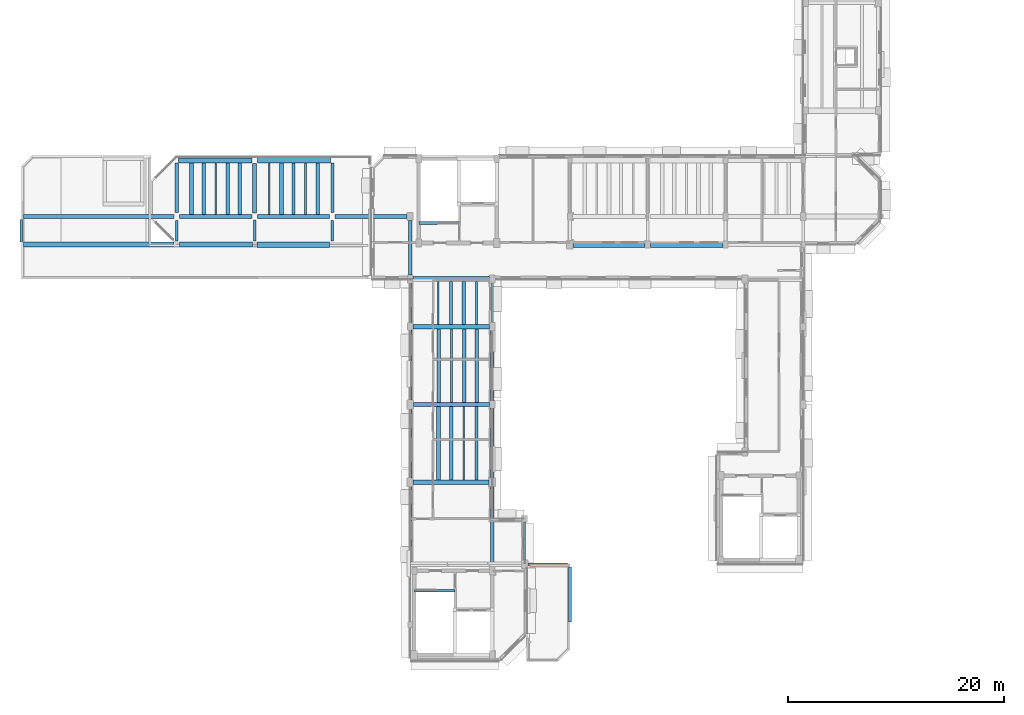
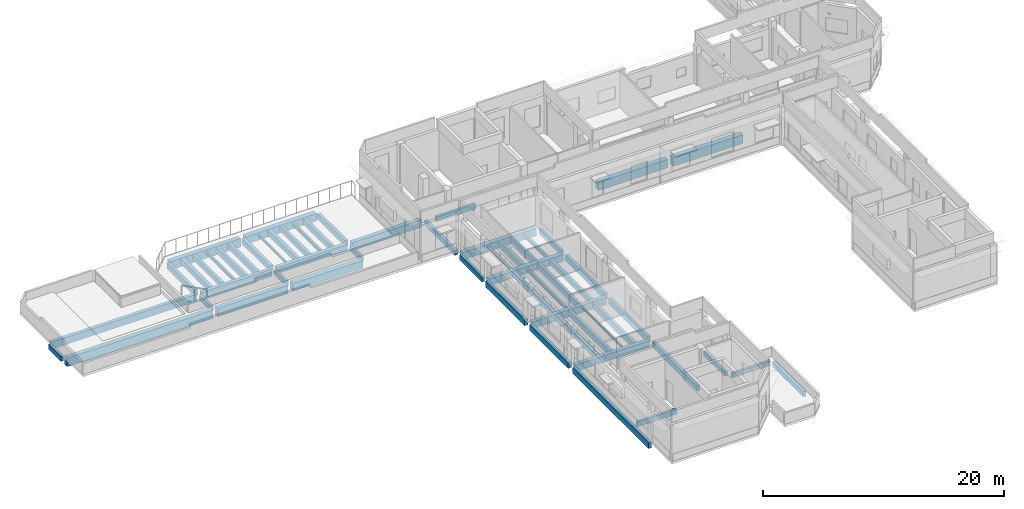
# One storey, part 3 of 17: 58 beams.
"""IFC4 building model written with IfcOpenShell, lengths in metres."""

from ifc_helpers import new_model, si_unit, direction, frame, origin, origin_2d, place, context, subcontext, project, spatial, rectangle, i_section, extrude, material, material_profile, profile_set, type_object, element, save


model = new_model("IFC4")

# Units and contexts
model_context = context("Model", 3, precision=1e-05, world=origin(), true_north=direction((0.0, 1.0)))
body_context = subcontext(model_context, "Body", "Model", "MODEL_VIEW")
ifc_project = project(units=[si_unit("LENGTHUNIT", "METRE"), si_unit("AREAUNIT", "SQUARE_METRE"), si_unit("VOLUMEUNIT", "CUBIC_METRE"), si_unit("PLANEANGLEUNIT", "RADIAN"), si_unit("MASSUNIT", "GRAM", prefix="KILO")], contexts=[model_context])

# Site, building, storey
site_placement = place(None, origin())
site = spatial("IfcSite", under=ifc_project, at=site_placement, CompositionType="ELEMENT")
building_placement = place(site_placement, origin())
building = spatial("IfcBuilding", under=site, at=building_placement, Name="Kelanivale Promenade Academy", CompositionType="ELEMENT")
storey_placement = place(building_placement, frame((0.0, 0.0, 20.199951171875)))
storey = spatial("IfcBuildingStorey", under=building, at=storey_placement, Name="L05", CompositionType="ELEMENT", Elevation=20.199951171875)

# Beams
ifc_material_1 = material(Name="Concrete C35/45", Category="concrete")
ifc_material_profile_1 = material_profile(ifc_material_1, rectangle(XDim=0.39990234375, YDim=0.64990234375, at=origin_2d()), Name="RC-BM 400x650")
ifc_profile_set_1 = profile_set([ifc_material_profile_1], Name="Concrete C35/45")
beam_type_1 = type_object("IfcBeamType", Name="BM-01 RC-BM 400x650", PredefinedType="BEAM", material=ifc_profile_set_1)
beam_1_placement = place(storey_placement, frame((79.469970703125, 49.60009765625, -0.544921875), z_axis=(1.0, 0.0, 0.0), x_axis=(0.0, 1.0, 0.0)))
element("IfcBeam", 1, at=beam_1_placement, inside=storey, type_object=beam_type_1, Name="L05 girder BM-01", PredefinedType="BEAM", context=body_context, shape_type="SweptSolid", body=[
    extrude(rectangle(XDim=0.39990234375, YDim=0.64990234375, at=origin_2d()), origin(), (0.0, 0.0, 1.0), 7.034912109375),
])
ifc_material_profile_2 = material_profile(ifc_material_1, rectangle(XDim=0.39990234375, YDim=0.699951171875, at=origin_2d()), Name="RC-BM 400x700")
ifc_profile_set_2 = profile_set([ifc_material_profile_2], Name="Concrete C35/45")
beam_type_2 = type_object("IfcBeamType", Name="BM-02 RC-BM 400x700", PredefinedType="BEAM", material=ifc_profile_set_2)
beam_2_placement = place(storey_placement, frame((79.4951171875, 56.800048828125, -0.570068359375), z_axis=(1.0, 0.0, 0.0), x_axis=(0.0, 1.0, 0.0)))
element("IfcBeam", 2, at=beam_2_placement, inside=storey, type_object=beam_type_2, Name="L05 girder BM-02", PredefinedType="BEAM", context=body_context, shape_type="SweptSolid", body=[
    extrude(rectangle(XDim=0.39990234375, YDim=0.699951171875, at=origin_2d()), origin(), (0.0, 0.0, 1.0), 7.059814453125),
])
ifc_material_profile_3 = material_profile(ifc_material_1, rectangle(XDim=0.449951171875, YDim=0.699951171875, at=origin_2d()), Name="RC-BM 450x700")
ifc_profile_set_3 = profile_set([ifc_material_profile_3], Name="Concrete C35/45")
beam_type_3 = type_object("IfcBeamType", Name="BM-03 RC-BM 450x700", PredefinedType="BEAM", material=ifc_profile_set_3)
beam_3_placement = place(storey_placement, frame((79.445068359375, 64.0, -0.570068359375), z_axis=(1.0, 0.0, 0.0), x_axis=(0.0, 1.0, 0.0)))
element("IfcBeam", 3, at=beam_3_placement, inside=storey, type_object=beam_type_3, Name="L05 girder BM-03", PredefinedType="BEAM", context=body_context, shape_type="SweptSolid", body=[
    extrude(rectangle(XDim=0.449951171875, YDim=0.699951171875, at=origin_2d()), origin(), (0.0, 0.0, 1.0), 7.10986328125),
])
ifc_material_profile_4 = material_profile(ifc_material_1, rectangle(XDim=0.449951171875, YDim=0.75, at=origin_2d()), Name="RC-BM 450x750")
ifc_profile_set_4 = profile_set([ifc_material_profile_4], Name="Concrete C35/45")
beam_type_4 = type_object("IfcBeamType", Name="BM-04 RC-BM 450x750", PredefinedType="BEAM", material=ifc_profile_set_4)
beam_4_placement = place(storey_placement, frame((79.445068359375, 68.39990234375, -0.594970703125), z_axis=(1.0, 0.0, 0.0), x_axis=(0.0, 1.0, 0.0)))
element("IfcBeam", 4, at=beam_4_placement, inside=storey, type_object=beam_type_4, Name="L05 girder BM-04", PredefinedType="BEAM", context=body_context, shape_type="SweptSolid", body=[
    extrude(rectangle(XDim=0.449951171875, YDim=0.75, at=origin_2d()), origin(), (0.0, 0.0, 1.0), 7.0849609375),
])
ifc_material_profile_5 = material_profile(ifc_material_1, rectangle(XDim=0.449951171875, YDim=0.85009765625, at=origin_2d()), Name="RC-BM 450x850")
ifc_profile_set_5 = profile_set([ifc_material_profile_5], Name="Concrete C35/45")
beam_type_5 = type_object("IfcBeamType", Name="BM-05 RC-BM 450x850", PredefinedType="BEAM", material=ifc_profile_set_5)
beam_5_placement = place(storey_placement, frame((43.39501953125, 71.60009765625, -0.6650390625), z_axis=(1.0, 0.0, 0.0), x_axis=(0.0, 1.0, 0.0)))
element("IfcBeam", 5, at=beam_5_placement, inside=storey, type_object=beam_type_5, Name="L05 girder BM-05", PredefinedType="BEAM", context=body_context, shape_type="SweptSolid", body=[
    extrude(rectangle(XDim=0.449951171875, YDim=0.85009765625, at=origin_2d()), origin(), (0.0, 0.0, 1.0), 13.9599609375),
])
beam_6_placement = place(storey_placement, frame((57.844970703125, 71.60009765625, -0.659912109375), z_axis=(1.0, 0.0, 0.0), x_axis=(0.0, 1.0, 0.0)))
element("IfcBeam", 6, at=beam_6_placement, inside=storey, type_object=beam_type_5, Name="L05 girder BM-05", PredefinedType="BEAM", context=body_context, shape_type="SweptSolid", body=[
    extrude(rectangle(XDim=0.449951171875, YDim=0.85009765625, at=origin_2d()), origin(), (0.0, 0.0, 1.0), 6.735107421875),
])
beam_7_placement = place(storey_placement, frame((57.77001953125, 79.39990234375, -0.659912109375), z_axis=(1.0, 0.0, 0.0), x_axis=(0.0, 1.0, 0.0)))
element("IfcBeam", 7, at=beam_7_placement, inside=storey, type_object=beam_type_5, Name="L05 girder BM-05", PredefinedType="BEAM", context=body_context, shape_type="SweptSolid", body=[
    extrude(rectangle(XDim=0.449951171875, YDim=0.85009765625, at=origin_2d()), origin(), (0.0, 0.0, 1.0), 6.784912109375),
])
ifc_material_profile_6 = material_profile(ifc_material_1, rectangle(XDim=0.5, YDim=0.75, at=origin_2d()), Name="RC-BM 500x750")
ifc_profile_set_6 = profile_set([ifc_material_profile_6], Name="Concrete C35/45")
beam_type_6 = type_object("IfcBeamType", Name="BM-06 RC-BM 500x750", PredefinedType="BEAM", material=ifc_profile_set_6)
beam_8_placement = place(storey_placement, frame((65.02001953125, 71.60009765625, -0.60986328125), z_axis=(1.0, 0.0, 0.0), x_axis=(0.0, 1.0, 0.0)))
element("IfcBeam", 8, at=beam_8_placement, inside=storey, type_object=beam_type_6, Name="L05 girder BM-06", PredefinedType="BEAM", context=body_context, shape_type="SweptSolid", body=[
    extrude(rectangle(XDim=0.5, YDim=0.75, at=origin_2d()), origin(), (0.0, 0.0, 1.0), 6.73486328125),
])
beam_9_placement = place(storey_placement, frame((65.044921875, 79.39990234375, -0.60986328125), z_axis=(1.0, 0.0, 0.0), x_axis=(0.0, 1.0, 0.0)))
element("IfcBeam", 9, at=beam_9_placement, inside=storey, type_object=beam_type_6, Name="L05 girder BM-06", PredefinedType="BEAM", context=body_context, shape_type="SweptSolid", body=[
    extrude(rectangle(XDim=0.5, YDim=0.75, at=origin_2d()), origin(), (0.0, 0.0, 1.0), 6.78515625),
])
ifc_material_profile_7 = material_profile(ifc_material_1, rectangle(XDim=0.5, YDim=0.85009765625, at=origin_2d()), Name="RC-BM 500x850")
ifc_profile_set_7 = profile_set([ifc_material_profile_7], Name="Concrete C35/45")
beam_type_7 = type_object("IfcBeamType", Name="BM-07 RC-BM 500x850", PredefinedType="BEAM", material=ifc_profile_set_7)
beam_10_placement = place(storey_placement, frame((94.294921875, 71.60009765625, -0.64501953125), z_axis=(1.0, 0.0, 0.0), x_axis=(0.0, 1.0, 0.0)))
element("IfcBeam", 10, at=beam_10_placement, inside=storey, type_object=beam_type_7, Name="L05 girder BM-07", PredefinedType="BEAM", context=body_context, shape_type="SweptSolid", body=[
    extrude(rectangle(XDim=0.5, YDim=0.85009765625, at=origin_2d()), origin(), (0.0, 0.0, 1.0), 6.66015625),
])
ifc_material_profile_8 = material_profile(ifc_material_1, rectangle(XDim=0.5, YDim=0.89990234375, at=origin_2d()), Name="RC-BM 500x900")
ifc_profile_set_8 = profile_set([ifc_material_profile_8], Name="Concrete C35/45")
beam_type_8 = type_object("IfcBeamType", Name="BM-08 RC-BM 500x900", PredefinedType="BEAM", material=ifc_profile_set_8)
beam_11_placement = place(storey_placement, frame((101.445068359375, 71.60009765625, -0.669921875), z_axis=(1.0, 0.0, 0.0), x_axis=(0.0, 1.0, 0.0)))
element("IfcBeam", 11, at=beam_11_placement, inside=storey, type_object=beam_type_8, Name="L05 girder BM-08", PredefinedType="BEAM", context=body_context, shape_type="SweptSolid", body=[
    extrude(rectangle(XDim=0.5, YDim=0.89990234375, at=origin_2d()), origin(), (0.0, 0.0, 1.0), 6.7099609375),
])
ifc_material_profile_9 = material_profile(ifc_material_1, rectangle(XDim=0.35009765625, YDim=0.699951171875, at=origin_2d()), Name="RC-BM 350x700")
ifc_profile_set_9 = profile_set([ifc_material_profile_9], Name="Concrete C35/45")
beam_type_9 = type_object("IfcBeamType", Name="BM-11 RC-BM 350x700", PredefinedType="BEAM", material=ifc_profile_set_9)
beam_12_placement = place(storey_placement, frame((43.419921875, 74.199951171875, -0.58984375), z_axis=(1.0, 0.0, 0.0), x_axis=(0.0, 1.0, 0.0)))
element("IfcBeam", 12, at=beam_12_placement, inside=storey, type_object=beam_type_9, Name="L05 girder BM-11", PredefinedType="BEAM", context=body_context, shape_type="SweptSolid", body=[
    extrude(rectangle(XDim=0.35009765625, YDim=0.699951171875, at=origin_2d()), origin(), (0.0, 0.0, 1.0), 13.93505859375),
])
beam_13_placement = place(storey_placement, frame((57.844970703125, 74.199951171875, -0.5849609375), z_axis=(1.0, 0.0, 0.0), x_axis=(0.0, 1.0, 0.0)))
element("IfcBeam", 13, at=beam_13_placement, inside=storey, type_object=beam_type_9, Name="L05 girder BM-11", PredefinedType="BEAM", context=body_context, shape_type="SweptSolid", body=[
    extrude(rectangle(XDim=0.35009765625, YDim=0.699951171875, at=origin_2d()), origin(), (0.0, 0.0, 1.0), 6.7099609375),
])
ifc_material_profile_10 = material_profile(ifc_material_1, rectangle(XDim=0.39990234375, YDim=0.60009765625, at=origin_2d()), Name="RC-BM 400x600")
ifc_profile_set_10 = profile_set([ifc_material_profile_10], Name="Concrete C35/45")
beam_type_10 = type_object("IfcBeamType", Name="BM-12 RC-BM 400x600", PredefinedType="BEAM", material=ifc_profile_set_10)
beam_14_placement = place(storey_placement, frame((65.044921875, 74.199951171875, -0.534912109375), z_axis=(1.0, 0.0, 0.0), x_axis=(0.0, 1.0, 0.0)))
element("IfcBeam", 14, at=beam_14_placement, inside=storey, type_object=beam_type_10, Name="L05 girder BM-12", PredefinedType="BEAM", context=body_context, shape_type="SweptSolid", body=[
    extrude(rectangle(XDim=0.39990234375, YDim=0.60009765625, at=origin_2d()), origin(), (0.0, 0.0, 1.0), 6.7099609375),
])
ifc_material_profile_11 = material_profile(ifc_material_1, rectangle(XDim=0.39990234375, YDim=0.75, at=origin_2d()), Name="RC-BM 400x750")
ifc_profile_set_11 = profile_set([ifc_material_profile_11], Name="Concrete C35/45")
beam_type_11 = type_object("IfcBeamType", Name="BM-13 RC-BM 400x750", PredefinedType="BEAM", material=ifc_profile_set_11)
beam_15_placement = place(storey_placement, frame((72.2451171875, 74.199951171875, -0.594970703125), z_axis=(1.0, 0.0, 0.0), x_axis=(0.0, 1.0, 0.0)))
element("IfcBeam", 15, at=beam_15_placement, inside=storey, type_object=beam_type_11, Name="L05 girder BM-13", PredefinedType="BEAM", context=body_context, shape_type="SweptSolid", body=[
    extrude(rectangle(XDim=0.39990234375, YDim=0.75, at=origin_2d()), origin(), (0.0, 0.0, 1.0), 6.684814453125),
])
ifc_material_profile_12 = material_profile(ifc_material_1, rectangle(XDim=0.300048828125, YDim=0.5, at=origin_2d()), Name="RC-BM 300x500")
ifc_profile_set_12 = profile_set([ifc_material_profile_12], Name="Concrete C35/45")
beam_type_12 = type_object("IfcBeamType", Name="JS-01 RC-BM 300x500", PredefinedType="JOIST", material=ifc_profile_set_12)
beam_16_placement = place(storey_placement, frame((79.199951171875, 68.77001953125, -0.469970703125), z_axis=(0.0, 1.0, 0.0), x_axis=(-1.0, 0.0, 0.0)))
element("IfcBeam", 16, at=beam_16_placement, inside=storey, type_object=beam_type_12, Name="L05 beam JS-01", PredefinedType="JOIST", context=body_context, shape_type="SweptSolid", body=[
    extrude(rectangle(XDim=0.300048828125, YDim=0.5, at=origin_2d()), origin(), (0.0, 0.0, 1.0), 5.06005859375),
])
beam_17_placement = place(storey_placement, frame((94.0, 36.64501953125, -0.489990234375), z_axis=(0.0, 1.0, 0.0), x_axis=(-1.0, 0.0, 0.0)))
element("IfcBeam", 17, at=beam_17_placement, inside=storey, type_object=beam_type_12, Name="L05 beam JS-01", PredefinedType="JOIST", context=body_context, shape_type="SweptSolid", body=[
    extrude(rectangle(XDim=0.300048828125, YDim=0.5, at=origin_2d()), origin(), (0.0, 0.0, 1.0), 5.0849609375),
])
beam_18_placement = place(storey_placement, frame((83.0, 49.800048828125, -0.469970703125), z_axis=(0.0, 1.0, 0.0), x_axis=(-1.0, 0.0, 0.0)))
element("IfcBeam", 18, at=beam_18_placement, inside=storey, type_object=beam_type_12, Name="L05 secondary sub-beam JS-01", PredefinedType="JOIST", context=body_context, shape_type="SweptSolid", body=[
    extrude(rectangle(XDim=0.300048828125, YDim=0.5, at=origin_2d()), origin(), (0.0, 0.0, 1.0), 6.800048828125),
])
beam_19_placement = place(storey_placement, frame((85.3779296875, 57.0, -0.469970703125), z_axis=(0.0, 1.0, 0.0), x_axis=(-1.0, 0.0, 0.0)))
element("IfcBeam", 19, at=beam_19_placement, inside=storey, type_object=beam_type_12, Name="L05 secondary sub-beam JS-01", PredefinedType="JOIST", context=body_context, shape_type="SweptSolid", body=[
    extrude(rectangle(XDim=0.300048828125, YDim=0.5, at=origin_2d()), origin(), (0.0, 0.0, 1.0), 6.77490234375),
])
beam_20_placement = place(storey_placement, frame((60.08203125, 74.375, -0.48486328125), z_axis=(0.0, 1.0, 0.0), x_axis=(-1.0, 0.0, 0.0)))
element("IfcBeam", 20, at=beam_20_placement, inside=storey, type_object=beam_type_12, Name="L05 secondary sub-beam JS-01", PredefinedType="JOIST", context=body_context, shape_type="SweptSolid", body=[
    extrude(rectangle(XDim=0.300048828125, YDim=0.5, at=origin_2d()), origin(), (0.0, 0.0, 1.0), 4.800048828125),
])
beam_21_placement = place(storey_placement, frame((68.39990234375, 74.39990234375, -0.48486328125), z_axis=(0.0, 1.0, 0.0), x_axis=(-1.0, 0.0, 0.0)))
element("IfcBeam", 21, at=beam_21_placement, inside=storey, type_object=beam_type_12, Name="L05 secondary sub-beam JS-01", PredefinedType="JOIST", context=body_context, shape_type="SweptSolid", body=[
    extrude(rectangle(XDim=0.300048828125, YDim=0.5, at=origin_2d()), origin(), (0.0, 0.0, 1.0), 4.75),
])
ifc_material_profile_13 = material_profile(ifc_material_1, rectangle(XDim=0.300048828125, YDim=0.550048828125, at=origin_2d()), Name="RC-BM 300x550")
ifc_profile_set_13 = profile_set([ifc_material_profile_13], Name="Concrete C35/45")
beam_type_13 = type_object("IfcBeamType", Name="JS-02 RC-BM 300x550", PredefinedType="JOIST", material=ifc_profile_set_13)
beam_22_placement = place(storey_placement, frame((72.0, 74.570068359375, -0.510009765625), z_axis=(0.0, 1.0, 0.0), x_axis=(-1.0, 0.0, 0.0)))
element("IfcBeam", 22, at=beam_22_placement, inside=storey, type_object=beam_type_13, Name="L05 beam JS-02", PredefinedType="JOIST", context=body_context, shape_type="SweptSolid", body=[
    extrude(rectangle(XDim=0.300048828125, YDim=0.550048828125, at=origin_2d()), origin(), (0.0, 0.0, 1.0), 4.5849609375),
])
beam_23_placement = place(storey_placement, frame((86.800048828125, 41.77001953125, -0.494873046875), z_axis=(0.0, 1.0, 0.0), x_axis=(-1.0, 0.0, 0.0)))
element("IfcBeam", 23, at=beam_23_placement, inside=storey, type_object=beam_type_13, Name="L05 beam JS-02", PredefinedType="JOIST", context=body_context, shape_type="SweptSolid", body=[
    extrude(rectangle(XDim=0.300048828125, YDim=0.550048828125, at=origin_2d()), origin(), (0.0, 0.0, 1.0), 7.43505859375),
])
ifc_material_profile_14 = material_profile(ifc_material_1, rectangle(XDim=0.300048828125, YDim=0.60009765625, at=origin_2d()), Name="RC-BM 300x600")
ifc_profile_set_14 = profile_set([ifc_material_profile_14], Name="Concrete C35/45")
beam_type_14 = type_object("IfcBeamType", Name="JS-03 RC-BM 300x600", PredefinedType="JOIST", material=ifc_profile_set_14)
beam_24_placement = place(storey_placement, frame((79.199951171875, 36.64501953125, -0.52001953125), z_axis=(0.0, 1.0, 0.0), x_axis=(-1.0, 0.0, 0.0)))
element("IfcBeam", 24, at=beam_24_placement, inside=storey, type_object=beam_type_14, Name="L05 beam JS-03", PredefinedType="JOIST", context=body_context, shape_type="SweptSolid", body=[
    extrude(rectangle(XDim=0.300048828125, YDim=0.60009765625, at=origin_2d()), origin(), (0.0, 0.0, 1.0), 12.5849609375),
])
beam_25_placement = place(storey_placement, frame((86.800048828125, 49.9951171875, -0.52001953125), z_axis=(0.0, 1.0, 0.0), x_axis=(-1.0, 0.0, 0.0)))
element("IfcBeam", 25, at=beam_25_placement, inside=storey, type_object=beam_type_14, Name="L05 beam JS-03", PredefinedType="JOIST", context=body_context, shape_type="SweptSolid", body=[
    extrude(rectangle(XDim=0.300048828125, YDim=0.60009765625, at=origin_2d()), origin(), (0.0, 0.0, 1.0), 6.48486328125),
])
beam_26_placement = place(storey_placement, frame((85.3369140625, 49.800048828125, -0.52001953125), z_axis=(0.0, 1.0, 0.0), x_axis=(-1.0, 0.0, 0.0)))
element("IfcBeam", 26, at=beam_26_placement, inside=storey, type_object=beam_type_14, Name="L05 secondary sub-beam JS-03", PredefinedType="JOIST", context=body_context, shape_type="SweptSolid", body=[
    extrude(rectangle(XDim=0.300048828125, YDim=0.60009765625, at=origin_2d()), origin(), (0.0, 0.0, 1.0), 6.800048828125),
])
beam_27_placement = place(storey_placement, frame((82.987060546875, 64.22509765625, -0.52001953125), z_axis=(0.0, 1.0, 0.0), x_axis=(-1.0, 0.0, 0.0)))
element("IfcBeam", 27, at=beam_27_placement, inside=storey, type_object=beam_type_14, Name="L05 secondary sub-beam JS-03", PredefinedType="JOIST", context=body_context, shape_type="SweptSolid", body=[
    extrude(rectangle(XDim=0.300048828125, YDim=0.60009765625, at=origin_2d()), origin(), (0.0, 0.0, 1.0), 3.949951171875),
])
beam_28_placement = place(storey_placement, frame((62.318115234375, 74.375, -0.534912109375), z_axis=(0.0, 1.0, 0.0), x_axis=(-1.0, 0.0, 0.0)))
element("IfcBeam", 28, at=beam_28_placement, inside=storey, type_object=beam_type_14, Name="L05 secondary sub-beam JS-03", PredefinedType="JOIST", context=body_context, shape_type="SweptSolid", body=[
    extrude(rectangle(XDim=0.300048828125, YDim=0.60009765625, at=origin_2d()), origin(), (0.0, 0.0, 1.0), 4.800048828125),
])
beam_29_placement = place(storey_placement, frame((70.636962890625, 74.39990234375, -0.534912109375), z_axis=(0.0, 1.0, 0.0), x_axis=(-1.0, 0.0, 0.0)))
element("IfcBeam", 29, at=beam_29_placement, inside=storey, type_object=beam_type_14, Name="L05 secondary sub-beam JS-03", PredefinedType="JOIST", context=body_context, shape_type="SweptSolid", body=[
    extrude(rectangle(XDim=0.300048828125, YDim=0.60009765625, at=origin_2d()), origin(), (0.0, 0.0, 1.0), 4.75),
])
ifc_material_profile_15 = material_profile(ifc_material_1, rectangle(XDim=0.320068359375, YDim=0.550048828125, at=origin_2d()), Name="RC-BM 320x550")
ifc_profile_set_15 = profile_set([ifc_material_profile_15], Name="Concrete C35/45")
beam_type_15 = type_object("IfcBeamType", Name="JS-04 RC-BM 320x550", PredefinedType="JOIST", material=ifc_profile_set_15)
beam_30_placement = place(storey_placement, frame((57.60009765625, 74.570068359375, -0.510009765625), z_axis=(0.0, 1.0, 0.0), x_axis=(-1.0, 0.0, 0.0)))
element("IfcBeam", 30, at=beam_30_placement, inside=storey, type_object=beam_type_15, Name="L05 beam JS-04", PredefinedType="JOIST", context=body_context, shape_type="SweptSolid", body=[
    extrude(rectangle(XDim=0.320068359375, YDim=0.550048828125, at=origin_2d()), origin(), (0.0, 0.0, 1.0), 4.5849609375),
])
beam_31_placement = place(storey_placement, frame((79.199951171875, 49.969970703125, -0.494873046875), z_axis=(0.0, 1.0, 0.0), x_axis=(-1.0, 0.0, 0.0)))
element("IfcBeam", 31, at=beam_31_placement, inside=storey, type_object=beam_type_15, Name="L05 beam JS-04", PredefinedType="JOIST", context=body_context, shape_type="SweptSolid", body=[
    extrude(rectangle(XDim=0.320068359375, YDim=0.550048828125, at=origin_2d()), origin(), (0.0, 0.0, 1.0), 6.43505859375),
])
beam_32_placement = place(storey_placement, frame((86.800048828125, 57.1201171875, -0.494873046875), z_axis=(0.0, 1.0, 0.0), x_axis=(-1.0, 0.0, 0.0)))
element("IfcBeam", 32, at=beam_32_placement, inside=storey, type_object=beam_type_15, Name="L05 beam JS-04", PredefinedType="JOIST", context=body_context, shape_type="SweptSolid", body=[
    extrude(rectangle(XDim=0.320068359375, YDim=0.550048828125, at=origin_2d()), origin(), (0.0, 0.0, 1.0), 6.509765625),
])
beam_33_placement = place(storey_placement, frame((81.847900390625, 57.0, -0.494873046875), z_axis=(0.0, 1.0, 0.0), x_axis=(-1.0, 0.0, 0.0)))
element("IfcBeam", 33, at=beam_33_placement, inside=storey, type_object=beam_type_15, Name="L05 secondary sub-beam JS-04", PredefinedType="JOIST", context=body_context, shape_type="SweptSolid", body=[
    extrude(rectangle(XDim=0.320068359375, YDim=0.550048828125, at=origin_2d()), origin(), (0.0, 0.0, 1.0), 6.77490234375),
])
beam_34_placement = place(storey_placement, frame((84.16796875, 64.22509765625, -0.494873046875), z_axis=(0.0, 1.0, 0.0), x_axis=(-1.0, 0.0, 0.0)))
element("IfcBeam", 34, at=beam_34_placement, inside=storey, type_object=beam_type_15, Name="L05 secondary sub-beam JS-04", PredefinedType="JOIST", context=body_context, shape_type="SweptSolid", body=[
    extrude(rectangle(XDim=0.320068359375, YDim=0.550048828125, at=origin_2d()), origin(), (0.0, 0.0, 1.0), 3.949951171875),
])
beam_35_placement = place(storey_placement, frame((63.43701171875, 74.375, -0.510009765625), z_axis=(0.0, 1.0, 0.0), x_axis=(-1.0, 0.0, 0.0)))
element("IfcBeam", 35, at=beam_35_placement, inside=storey, type_object=beam_type_15, Name="L05 secondary sub-beam JS-04", PredefinedType="JOIST", context=body_context, shape_type="SweptSolid", body=[
    extrude(rectangle(XDim=0.320068359375, YDim=0.550048828125, at=origin_2d()), origin(), (0.0, 0.0, 1.0), 4.800048828125),
])
ifc_material_profile_16 = material_profile(ifc_material_1, rectangle(XDim=0.320068359375, YDim=0.60009765625, at=origin_2d()), Name="RC-BM 320x600")
ifc_profile_set_16 = profile_set([ifc_material_profile_16], Name="Concrete C35/45")
beam_type_16 = type_object("IfcBeamType", Name="JS-05 RC-BM 320x600", PredefinedType="JOIST", material=ifc_profile_set_16)
beam_36_placement = place(storey_placement, frame((79.199951171875, 57.195068359375, -0.52001953125), z_axis=(0.0, 1.0, 0.0), x_axis=(-1.0, 0.0, 0.0)))
element("IfcBeam", 36, at=beam_36_placement, inside=storey, type_object=beam_type_16, Name="L05 beam JS-05", PredefinedType="JOIST", context=body_context, shape_type="SweptSolid", body=[
    extrude(rectangle(XDim=0.320068359375, YDim=0.60009765625, at=origin_2d()), origin(), (0.0, 0.0, 1.0), 6.48486328125),
])
ifc_material_profile_17 = material_profile(ifc_material_1, rectangle(XDim=0.35009765625, YDim=0.550048828125, at=origin_2d()), Name="RC-BM 350x550")
ifc_profile_set_17 = profile_set([ifc_material_profile_17], Name="Concrete C35/45")
beam_type_17 = type_object("IfcBeamType", Name="JS-06 RC-BM 350x550", PredefinedType="JOIST", material=ifc_profile_set_17)
beam_37_placement = place(storey_placement, frame((64.800048828125, 74.52001953125, -0.510009765625), z_axis=(0.0, 1.0, 0.0), x_axis=(-1.0, 0.0, 0.0)))
element("IfcBeam", 37, at=beam_37_placement, inside=storey, type_object=beam_type_17, Name="L05 beam JS-06", PredefinedType="JOIST", context=body_context, shape_type="SweptSolid", body=[
    extrude(rectangle(XDim=0.35009765625, YDim=0.550048828125, at=origin_2d()), origin(), (0.0, 0.0, 1.0), 4.5849609375),
])
beam_38_placement = place(storey_placement, frame((81.83203125, 49.800048828125, -0.494873046875), z_axis=(0.0, 1.0, 0.0), x_axis=(-1.0, 0.0, 0.0)))
element("IfcBeam", 38, at=beam_38_placement, inside=storey, type_object=beam_type_17, Name="L05 secondary sub-beam JS-06", PredefinedType="JOIST", context=body_context, shape_type="SweptSolid", body=[
    extrude(rectangle(XDim=0.35009765625, YDim=0.550048828125, at=origin_2d()), origin(), (0.0, 0.0, 1.0), 6.800048828125),
])
beam_39_placement = place(storey_placement, frame((84.201904296875, 57.0, -0.494873046875), z_axis=(0.0, 1.0, 0.0), x_axis=(-1.0, 0.0, 0.0)))
element("IfcBeam", 39, at=beam_39_placement, inside=storey, type_object=beam_type_17, Name="L05 secondary sub-beam JS-06", PredefinedType="JOIST", context=body_context, shape_type="SweptSolid", body=[
    extrude(rectangle(XDim=0.35009765625, YDim=0.550048828125, at=origin_2d()), origin(), (0.0, 0.0, 1.0), 6.77490234375),
])
beam_40_placement = place(storey_placement, frame((58.962890625, 74.375, -0.510009765625), z_axis=(0.0, 1.0, 0.0), x_axis=(-1.0, 0.0, 0.0)))
element("IfcBeam", 40, at=beam_40_placement, inside=storey, type_object=beam_type_17, Name="L05 secondary sub-beam JS-06", PredefinedType="JOIST", context=body_context, shape_type="SweptSolid", body=[
    extrude(rectangle(XDim=0.35009765625, YDim=0.550048828125, at=origin_2d()), origin(), (0.0, 0.0, 1.0), 4.800048828125),
])
beam_41_placement = place(storey_placement, frame((67.281982421875, 74.39990234375, -0.510009765625), z_axis=(0.0, 1.0, 0.0), x_axis=(-1.0, 0.0, 0.0)))
element("IfcBeam", 41, at=beam_41_placement, inside=storey, type_object=beam_type_17, Name="L05 secondary sub-beam JS-06", PredefinedType="JOIST", context=body_context, shape_type="SweptSolid", body=[
    extrude(rectangle(XDim=0.35009765625, YDim=0.550048828125, at=origin_2d()), origin(), (0.0, 0.0, 1.0), 4.75),
])
ifc_material_profile_18 = material_profile(ifc_material_1, rectangle(XDim=0.25, YDim=0.449951171875, at=origin_2d()), Name="RC-BM 250x450")
ifc_profile_set_18 = profile_set([ifc_material_profile_18], Name="Concrete C35/45")
beam_type_18 = type_object("IfcBeamType", Name="LN-01 RC-BM 250x450", PredefinedType="LINTEL", material=ifc_profile_set_18)
beam_42_placement = place(storey_placement, frame((90.094970703125, 42.0, -0.46484375), z_axis=(1.0, 0.0, 0.0), x_axis=(0.0, 1.0, 0.0)))
element("IfcBeam", 42, at=beam_42_placement, inside=storey, type_object=beam_type_18, Name="L05 girder LN-01", PredefinedType="LINTEL", context=body_context, shape_type="SweptSolid", body=[
    extrude(rectangle(XDim=0.25, YDim=0.449951171875, at=origin_2d()), origin(), (0.0, 0.0, 1.0), 3.68505859375),
])
ifc_material_profile_19 = material_profile(ifc_material_1, rectangle(XDim=0.25, YDim=0.5, at=origin_2d()), Name="RC-BM 250x500")
ifc_profile_set_19 = profile_set([ifc_material_profile_19], Name="Concrete C35/45")
beam_type_19 = type_object("IfcBeamType", Name="LN-02 RC-BM 250x500", PredefinedType="LINTEL", material=ifc_profile_set_19)
beam_43_placement = place(storey_placement, frame((43.199951171875, 71.844970703125, -0.489990234375), z_axis=(0.0, 1.0, 0.0), x_axis=(-1.0, 0.0, 0.0)))
element("IfcBeam", 43, at=beam_43_placement, inside=storey, type_object=beam_type_19, Name="L05 beam LN-02", PredefinedType="LINTEL", context=body_context, shape_type="SweptSolid", body=[
    extrude(rectangle(XDim=0.25, YDim=0.5, at=origin_2d()), origin(), (0.0, 0.0, 1.0), 2.0849609375),
])
beam_44_placement = place(storey_placement, frame((57.60009765625, 71.919921875, -0.48486328125), z_axis=(0.0, 1.0, 0.0), x_axis=(-1.0, 0.0, 0.0)))
element("IfcBeam", 44, at=beam_44_placement, inside=storey, type_object=beam_type_19, Name="L05 beam LN-02", PredefinedType="LINTEL", context=body_context, shape_type="SweptSolid", body=[
    extrude(rectangle(XDim=0.25, YDim=0.5, at=origin_2d()), origin(), (0.0, 0.0, 1.0), 1.91015625),
])
beam_45_placement = place(storey_placement, frame((64.800048828125, 71.945068359375, -0.48486328125), z_axis=(0.0, 1.0, 0.0), x_axis=(-1.0, 0.0, 0.0)))
element("IfcBeam", 45, at=beam_45_placement, inside=storey, type_object=beam_type_19, Name="L05 beam LN-02", PredefinedType="LINTEL", context=body_context, shape_type="SweptSolid", body=[
    extrude(rectangle(XDim=0.25, YDim=0.5, at=origin_2d()), origin(), (0.0, 0.0, 1.0), 1.934814453125),
])
beam_46_placement = place(storey_placement, frame((72.0, 71.919921875, -0.48486328125), z_axis=(0.0, 1.0, 0.0), x_axis=(-1.0, 0.0, 0.0)))
element("IfcBeam", 46, at=beam_46_placement, inside=storey, type_object=beam_type_19, Name="L05 beam LN-02", PredefinedType="LINTEL", context=body_context, shape_type="SweptSolid", body=[
    extrude(rectangle(XDim=0.25, YDim=0.5, at=origin_2d()), origin(), (0.0, 0.0, 1.0), 1.91015625),
])
beam_47_placement = place(storey_placement, frame((79.199951171875, 64.320068359375, -0.469970703125), z_axis=(0.0, 1.0, 0.0), x_axis=(-1.0, 0.0, 0.0)))
element("IfcBeam", 47, at=beam_47_placement, inside=storey, type_object=beam_type_19, Name="L05 beam LN-02", PredefinedType="LINTEL", context=body_context, shape_type="SweptSolid", body=[
    extrude(rectangle(XDim=0.25, YDim=0.5, at=origin_2d()), origin(), (0.0, 0.0, 1.0), 3.7099609375),
])
beam_48_placement = place(storey_placement, frame((86.800048828125, 64.3701171875, -0.469970703125), z_axis=(0.0, 1.0, 0.0), x_axis=(-1.0, 0.0, 0.0)))
element("IfcBeam", 48, at=beam_48_placement, inside=storey, type_object=beam_type_19, Name="L05 beam LN-02", PredefinedType="LINTEL", context=body_context, shape_type="SweptSolid", body=[
    extrude(rectangle(XDim=0.25, YDim=0.5, at=origin_2d()), origin(), (0.0, 0.0, 1.0), 3.659912109375),
])
beam_49_placement = place(storey_placement, frame((89.800048828125, 42.39501953125, -0.469970703125), z_axis=(0.0, 1.0, 0.0), x_axis=(-1.0, 0.0, 0.0)))
element("IfcBeam", 49, at=beam_49_placement, inside=storey, type_object=beam_type_19, Name="L05 beam LN-02", PredefinedType="LINTEL", context=body_context, shape_type="SweptSolid", body=[
    extrude(rectangle(XDim=0.25, YDim=0.5, at=origin_2d()), origin(), (0.0, 0.0, 1.0), 3.48486328125),
])
for number, where, z_axis, x_axis, name in (
    (50, (79.60009765625, 39.544921875, -0.25), (1.0, 0.0, 0.0), (0.0, 1.0, 0.0), "CORE-1 stair arrival trimmer beam L05"),
    (51, (80.0, 73.60498046875, -0.25), (1.0, 0.0, 0.0), (0.0, 1.0, 0.0), "CORE-2 stair arrival trimmer beam L05"),
):
    element("IfcBeam", number, at=place(storey_placement, frame(where, z_axis=z_axis, x_axis=x_axis)), inside=storey, type_object=beam_type_19, Name=name, PredefinedType="LINTEL", context=body_context, shape_type="SweptSolid", body=[
        extrude(rectangle(XDim=0.25, YDim=0.5, at=origin_2d()), origin(), (0.0, 0.0, 1.0), 3.77490234375),
    ])
ifc_material_2 = material(Name="Steel S355", Category="steel")
ifc_material_profile_20 = material_profile(ifc_material_2, i_section(OverallWidth=0.13330078125, OverallDepth=0.203125, WebThickness=0.005615234375, FlangeThickness=0.0078125, FilletRadius=0.007568359375, at=origin_2d()), Name="UB 203x133x25")
ifc_profile_set_20 = profile_set([ifc_material_profile_20], Name="Steel S355")
beam_type_20 = type_object("IfcBeamType", Name="SB-01 UB 203x133x25", PredefinedType="JOIST", material=ifc_profile_set_20)
beam_50_placement = place(storey_placement, frame((84.16796875, 49.800048828125, -0.322021484375), z_axis=(0.0, 1.0, 0.0), x_axis=(-1.0, 0.0, 0.0)))
element("IfcBeam", 52, at=beam_50_placement, inside=storey, type_object=beam_type_20, Name="L05 secondary sub-beam SB-01", PredefinedType="JOIST", context=body_context, shape_type="SweptSolid", body=[
    extrude(i_section(OverallWidth=0.13330078125, OverallDepth=0.203125, WebThickness=0.005615234375, FlangeThickness=0.0078125, FilletRadius=0.007568359375, at=origin_2d()), origin(), (0.0, 0.0, 1.0), 6.800048828125),
])
beam_51_placement = place(storey_placement, frame((66.1630859375, 74.39990234375, -0.3369140625), z_axis=(0.0, 1.0, 0.0), x_axis=(-1.0, 0.0, 0.0)))
element("IfcBeam", 53, at=beam_51_placement, inside=storey, type_object=beam_type_20, Name="L05 secondary sub-beam SB-01", PredefinedType="JOIST", context=body_context, shape_type="SweptSolid", body=[
    extrude(i_section(OverallWidth=0.13330078125, OverallDepth=0.203125, WebThickness=0.005615234375, FlangeThickness=0.0078125, FilletRadius=0.007568359375, at=origin_2d()), origin(), (0.0, 0.0, 1.0), 4.75),
])
ifc_material_profile_21 = material_profile(ifc_material_2, i_section(OverallWidth=0.14599609375, OverallDepth=0.25146484375, WebThickness=0.006103515625, FlangeThickness=0.008544921875, FilletRadius=0.007568359375, at=origin_2d()), Name="UB 254x146x31")
ifc_profile_set_21 = profile_set([ifc_material_profile_21], Name="Steel S355")
beam_type_21 = type_object("IfcBeamType", Name="SB-02 UB 254x146x31", PredefinedType="JOIST", material=ifc_profile_set_21)
beam_52_placement = place(storey_placement, frame((81.806884765625, 64.22509765625, -0.345947265625), z_axis=(0.0, 1.0, 0.0), x_axis=(-1.0, 0.0, 0.0)))
element("IfcBeam", 54, at=beam_52_placement, inside=storey, type_object=beam_type_21, Name="L05 secondary sub-beam SB-02", PredefinedType="JOIST", context=body_context, shape_type="SweptSolid", body=[
    extrude(i_section(OverallWidth=0.14599609375, OverallDepth=0.25146484375, WebThickness=0.006103515625, FlangeThickness=0.008544921875, FilletRadius=0.007568359375, at=origin_2d()), origin(), (0.0, 0.0, 1.0), 3.949951171875),
])
ifc_material_profile_22 = material_profile(ifc_material_2, i_section(OverallWidth=0.1650390625, OverallDepth=0.303466796875, WebThickness=0.006103515625, FlangeThickness=0.01025390625, FilletRadius=0.0087890625, at=origin_2d()), Name="UB 305x165x40")
ifc_profile_set_22 = profile_set([ifc_material_profile_22], Name="Steel S355")
beam_type_22 = type_object("IfcBeamType", Name="SB-03 UB 305x165x40", PredefinedType="BEAM", material=ifc_profile_set_22)
beam_53_placement = place(storey_placement, frame((61.199951171875, 74.375, -0.386962890625), z_axis=(0.0, 1.0, 0.0), x_axis=(-1.0, 0.0, 0.0)))
element("IfcBeam", 55, at=beam_53_placement, inside=storey, type_object=beam_type_22, Name="L05 secondary sub-beam SB-03", PredefinedType="BEAM", context=body_context, shape_type="SweptSolid", body=[
    extrude(i_section(OverallWidth=0.1650390625, OverallDepth=0.303466796875, WebThickness=0.006103515625, FlangeThickness=0.01025390625, FilletRadius=0.0087890625, at=origin_2d()), origin(), (0.0, 0.0, 1.0), 4.800048828125),
])
ifc_material_profile_23 = material_profile(ifc_material_2, i_section(OverallWidth=0.17138671875, OverallDepth=0.35498046875, WebThickness=0.00732421875, FlangeThickness=0.011474609375, FilletRadius=0.01025390625, at=origin_2d()), Name="UB 356x171x51")
ifc_profile_set_23 = profile_set([ifc_material_profile_23], Name="Steel S355")
beam_type_23 = type_object("IfcBeamType", Name="SB-04 UB 356x171x51", PredefinedType="BEAM", material=ifc_profile_set_23)
beam_54_placement = place(storey_placement, frame((83.02490234375, 57.0, -0.39697265625), z_axis=(0.0, 1.0, 0.0), x_axis=(-1.0, 0.0, 0.0)))
element("IfcBeam", 56, at=beam_54_placement, inside=storey, type_object=beam_type_23, Name="L05 secondary sub-beam SB-04", PredefinedType="BEAM", context=body_context, shape_type="SweptSolid", body=[
    extrude(i_section(OverallWidth=0.17138671875, OverallDepth=0.35498046875, WebThickness=0.00732421875, FlangeThickness=0.011474609375, FilletRadius=0.01025390625, at=origin_2d()), origin(), (0.0, 0.0, 1.0), 6.77490234375),
])
beam_55_placement = place(storey_placement, frame((69.51806640625, 74.39990234375, -0.411865234375), z_axis=(0.0, 1.0, 0.0), x_axis=(-1.0, 0.0, 0.0)))
element("IfcBeam", 57, at=beam_55_placement, inside=storey, type_object=beam_type_23, Name="L05 secondary sub-beam SB-04", PredefinedType="BEAM", context=body_context, shape_type="SweptSolid", body=[
    extrude(i_section(OverallWidth=0.17138671875, OverallDepth=0.35498046875, WebThickness=0.00732421875, FlangeThickness=0.011474609375, FilletRadius=0.01025390625, at=origin_2d()), origin(), (0.0, 0.0, 1.0), 4.75),
])
ifc_material_profile_24 = material_profile(ifc_material_2, i_section(OverallWidth=0.177978515625, OverallDepth=0.406494140625, WebThickness=0.0078125, FlangeThickness=0.0126953125, FilletRadius=0.01025390625, at=origin_2d()), Name="UB 406x178x60")
ifc_profile_set_24 = profile_set([ifc_material_profile_24], Name="Steel S355")
beam_type_24 = type_object("IfcBeamType", Name="SB-05 UB 406x178x60", PredefinedType="BEAM", material=ifc_profile_set_24)
beam_56_placement = place(storey_placement, frame((85.34912109375, 64.22509765625, -0.4228515625), z_axis=(0.0, 1.0, 0.0), x_axis=(-1.0, 0.0, 0.0)))
element("IfcBeam", 58, at=beam_56_placement, inside=storey, type_object=beam_type_24, Name="L05 secondary sub-beam SB-05", PredefinedType="BEAM", context=body_context, shape_type="SweptSolid", body=[
    extrude(i_section(OverallWidth=0.177978515625, OverallDepth=0.406494140625, WebThickness=0.0078125, FlangeThickness=0.0126953125, FilletRadius=0.01025390625, at=origin_2d()), origin(), (0.0, 0.0, 1.0), 3.949951171875),
])

save(model, "model.ifc")
